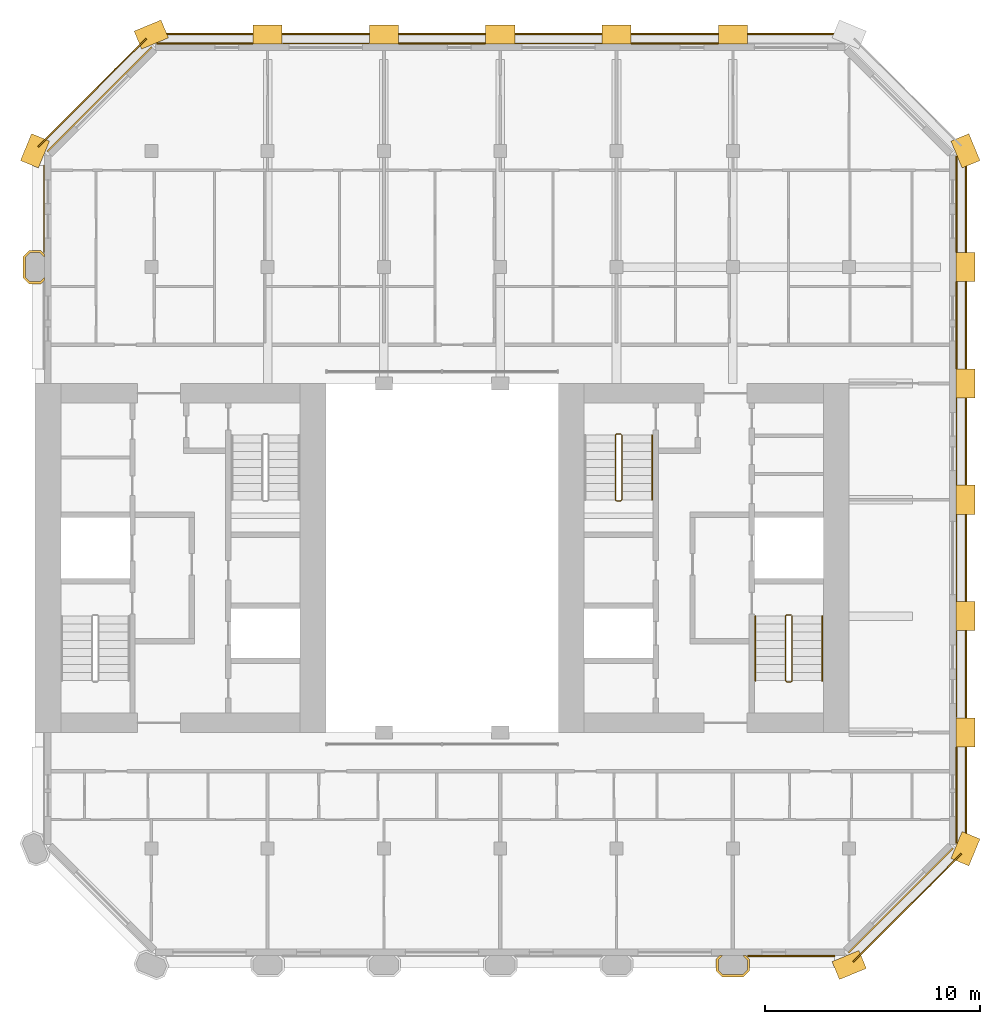
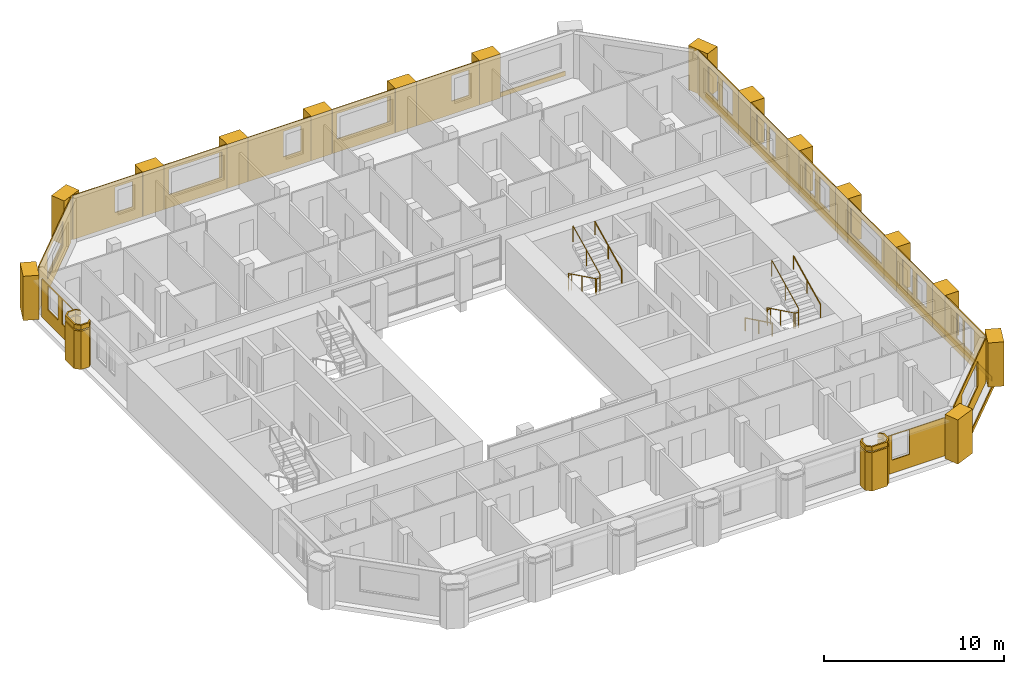
# One storey, part 12 of 13: 38 coverings, 5 railings.
"""IFC4 building model written with IfcOpenShell, lengths in metres."""

from ifc_helpers import new_model, si_unit, direction, frame, frame_2d, origin, origin_2d, place, context, subcontext, project, spatial, polyline, rectangle, circle, outline, extrude, material, layer, layer_set, type_object, element, save


model = new_model("IFC4")

# Units and contexts
model_context = context("Model", 3, precision=1e-05, world=origin(), true_north=direction((0.0, 1.0)))
body_context = subcontext(model_context, "Body", "Model", "MODEL_VIEW")
ifc_project = project(units=[si_unit("LENGTHUNIT", "METRE"), si_unit("AREAUNIT", "SQUARE_METRE"), si_unit("VOLUMEUNIT", "CUBIC_METRE"), si_unit("PLANEANGLEUNIT", "RADIAN"), si_unit("MASSUNIT", "GRAM", prefix="KILO")], contexts=[model_context])

# Site, building, storey
site_placement = place(None, origin())
site = spatial("IfcSite", under=ifc_project, at=site_placement, CompositionType="ELEMENT")
building_placement = place(site_placement, origin())
building = spatial("IfcBuilding", under=site, at=building_placement, Name="Tabaq Tower and Sports Hall", CompositionType="ELEMENT")
storey_placement = place(building_placement, frame((0.0, 0.0, 301.60009765625)))
storey = spatial("IfcBuildingStorey", under=building, at=storey_placement, Name="L75", CompositionType="ELEMENT", Elevation=301.60009765625)

# Coverings
ifc_material_1 = material(Name="Precast concrete C60/75", Category="concrete")
ifc_layer_1 = layer(ifc_material_1, 0.10009765625)
ifc_layer_set_1 = layer_set([ifc_layer_1], Name="Column cladding 100")
covering_type_1 = type_object("IfcCoveringType", Name="Column cladding 100", PredefinedType="CLADDING", material=ifc_layer_set_1)
covering_1_placement = place(storey_placement, origin())
element("IfcCovering", 1, at=covering_1_placement, inside=storey, type_object=covering_type_1, Name="Column cladding L75 PC-2H-R2", PredefinedType="CLADDING", context=body_context, shape_type="SweptSolid", body=[
    extrude(outline(polyline([(5.1337890625, 37.025390625), (4.850341796875, 37.30859375), (4.850341796875, 38.291259765625), (5.1337890625, 38.57470703125), (5.666259765625, 38.57470703125), (5.849609375, 38.391357421875), (5.849609375, 38.250732421875), (5.625244140625, 38.475341796875), (5.1748046875, 38.475341796875), (4.94970703125, 38.250244140625), (4.94970703125, 37.349853515625), (5.1748046875, 37.124755859375), (5.625244140625, 37.124755859375), (5.849609375, 37.349365234375), (5.849609375, 37.208740234375), (5.666259765625, 37.025390625), (5.1337890625, 37.025390625)])), origin(), (0.0, 0.0, 1.0), 2.599853515625),
])
covering_2_placement = place(storey_placement, frame((0.0, 0.0, 2.699951171875)))
element("IfcCovering", 2, at=covering_2_placement, inside=storey, type_object=covering_type_1, Name="Column cladding L75 PC-2H-R2 2", PredefinedType="CLADDING", context=body_context, shape_type="SweptSolid", body=[
    extrude(outline(polyline([(5.1337890625, 37.025390625), (4.850341796875, 37.30859375), (4.850341796875, 38.291259765625), (5.1337890625, 38.57470703125), (5.666259765625, 38.57470703125), (5.849609375, 38.391357421875), (5.849609375, 38.250732421875), (5.625244140625, 38.475341796875), (5.1748046875, 38.475341796875), (4.94970703125, 38.250244140625), (4.94970703125, 37.349853515625), (5.1748046875, 37.124755859375), (5.625244140625, 37.124755859375), (5.849609375, 37.349365234375), (5.849609375, 37.208740234375), (5.666259765625, 37.025390625), (5.1337890625, 37.025390625)])), origin(), (0.0, 0.0, 1.0), 0.300048828125),
])
covering_3_placement = place(storey_placement, origin())
element("IfcCovering", 3, at=covering_3_placement, inside=storey, type_object=covering_type_1, Name="Column cladding L75 PC-8B-R2", PredefinedType="CLADDING", context=body_context, shape_type="SweptSolid", body=[
    extrude(outline(polyline([(37.025390625, 5.666259765625), (37.208740234375, 5.849609375), (37.349365234375, 5.849609375), (37.124755859375, 5.625244140625), (37.124755859375, 5.1748046875), (37.349853515625, 4.94970703125), (38.250244140625, 4.94970703125), (38.475341796875, 5.1748046875), (38.475341796875, 5.625244140625), (38.250732421875, 5.849609375), (38.391357421875, 5.849609375), (38.57470703125, 5.666259765625), (38.57470703125, 5.1337890625), (38.291259765625, 4.850341796875), (37.30859375, 4.850341796875), (37.025390625, 5.1337890625), (37.025390625, 5.666259765625)])), origin(), (0.0, 0.0, 1.0), 2.599853515625),
])
covering_4_placement = place(storey_placement, frame((0.0, 0.0, 2.699951171875)))
element("IfcCovering", 4, at=covering_4_placement, inside=storey, type_object=covering_type_1, Name="Column cladding L75 PC-8B-R2 2", PredefinedType="CLADDING", context=body_context, shape_type="SweptSolid", body=[
    extrude(outline(polyline([(37.025390625, 5.666259765625), (37.208740234375, 5.849609375), (37.349365234375, 5.849609375), (37.124755859375, 5.625244140625), (37.124755859375, 5.1748046875), (37.349853515625, 4.94970703125), (38.250244140625, 4.94970703125), (38.475341796875, 5.1748046875), (38.475341796875, 5.625244140625), (38.250732421875, 5.849609375), (38.391357421875, 5.849609375), (38.57470703125, 5.666259765625), (38.57470703125, 5.1337890625), (38.291259765625, 4.850341796875), (37.30859375, 4.850341796875), (37.025390625, 5.1337890625), (37.025390625, 5.666259765625)])), origin(), (0.0, 0.0, 1.0), 0.300048828125),
])
ifc_material_2 = material(Name="Precast concrete C60/75", Category="concrete")
ifc_layer_2 = layer(ifc_material_2, 0.06005859375)
ifc_layer_set_2 = layer_set([ifc_layer_2], Name="Edge beam cladding 60")
covering_type_2 = type_object("IfcCoveringType", Name="Edge beam cladding 60", PredefinedType="CLADDING", material=ifc_layer_set_2)
covering_5_placement = place(storey_placement, frame((43.39794921875, 5.5556640625, -0.300048828125), z_axis=(0.0, 0.0, 1.0), x_axis=(0.707124002701, 0.707089559252, 0.0)))
element("IfcCovering", 5, at=covering_5_placement, inside=storey, type_object=covering_type_2, Name="Edge beam cladding L75 1", PredefinedType="CLADDING", context=body_context, shape_type="SweptSolid", body=[
    extrude(rectangle(XDim=7.088134765625, YDim=0.06005859375, at=frame_2d((3.5439453125, 0.0))), origin(), (0.0, 0.0, 1.0), 0.300048828125),
])
for number, where, z_axis, x_axis, name in (
    (6, (48.6298828125, 11.0986328125, -0.300048828125), (0.0, 0.0, 1.0), (0.0, 1.0, 0.0), "Edge beam cladding L75 2"),
    (7, (42.9013671875, 48.6298828125, -0.300048828125), (0.0, 0.0, 1.0), (-1.0, 0.0, 0.0), "Edge beam cladding L75 4"),
):
    element("IfcCovering", number, at=place(storey_placement, frame(where, z_axis=z_axis, x_axis=x_axis)), inside=storey, type_object=covering_type_2, Name=name, PredefinedType="CLADDING", context=body_context, shape_type="SweptSolid", body=[
        extrude(rectangle(XDim=31.802734375, YDim=0.06005859375, at=frame_2d((15.9013671875, 0.0))), origin(), (0.0, 0.0, 1.0), 0.300048828125),
    ])
covering_6_placement = place(storey_placement, frame((10.567626953125, 48.41015625, -0.300048828125), z_axis=(0.0, 0.0, 1.0), x_axis=(-0.707089559252, -0.707124002701, 0.0)))
element("IfcCovering", 8, at=covering_6_placement, inside=storey, type_object=covering_type_2, Name="Edge beam cladding L75 5", PredefinedType="CLADDING", context=body_context, shape_type="SweptSolid", body=[
    extrude(rectangle(XDim=7.088134765625, YDim=0.06005859375, at=frame_2d((3.5439453125, 0.0))), origin(), (0.0, 0.0, 1.0), 0.300048828125),
])
ifc_material_3 = material(Name="White precast concrete C60/75", Category="concrete")
covering_type_3 = type_object("IfcCoveringType", Name="Pier cladding hung 1350x900", PredefinedType="CLADDING", material=ifc_material_3)
for number, where, z_axis, x_axis, name in (
    (9, (5.658203125, 43.82373046875, 0.0), (0.0, 0.0, 1.0), (-0.382649923473, -0.923893411637, 0.0), "Hung pier cladding 1/8"),
    (10, (11.423583984375, 48.8583984375, 0.0), (0.0, 0.0, 1.0), (-0.923893411637, -0.382649923473, 0.0), "Hung pier cladding 2/9"),
    (11, (16.875, 48.60009765625, 0.0), (0.0, 0.0, 1.0), (-1.0, 0.0, 0.0), "Hung pier cladding 3/9"),
):
    element("IfcCovering", number, at=place(storey_placement, frame(where, z_axis=z_axis, x_axis=x_axis)), inside=storey, type_object=covering_type_3, Name=name, PredefinedType="CLADDING", context=body_context, shape_type="SweptSolid", body=[
        extrude(rectangle(XDim=1.35009765625, YDim=0.89990234375, at=frame_2d((0.675048828125, 0.0))), origin(), (0.0, 0.0, 1.0), 3.0),
    ])
covering_7_placement = place(storey_placement, frame((22.27490234375, 48.60009765625, 0.0), z_axis=(0.0, 0.0, 1.0), x_axis=(-1.0, 0.0, 0.0)))
element("IfcCovering", 12, at=covering_7_placement, inside=storey, type_object=covering_type_3, Name="Hung pier cladding 4/9", PredefinedType="CLADDING", context=body_context, shape_type="SweptSolid", body=[
    extrude(rectangle(XDim=1.349853515625, YDim=0.89990234375, at=frame_2d((0.6748046875, 0.0))), origin(), (0.0, 0.0, 1.0), 3.0),
])
covering_8_placement = place(storey_placement, frame((27.675048828125, 48.60009765625, 0.0), z_axis=(0.0, 0.0, 1.0), x_axis=(-1.0, 0.0, 0.0)))
element("IfcCovering", 13, at=covering_8_placement, inside=storey, type_object=covering_type_3, Name="Hung pier cladding 5/9", PredefinedType="CLADDING", context=body_context, shape_type="SweptSolid", body=[
    extrude(rectangle(XDim=1.35009765625, YDim=0.89990234375, at=frame_2d((0.675048828125, 0.0))), origin(), (0.0, 0.0, 1.0), 3.0),
])
covering_9_placement = place(storey_placement, frame((33.074951171875, 48.60009765625, 0.0), z_axis=(0.0, 0.0, 1.0), x_axis=(-1.0, 0.0, 0.0)))
element("IfcCovering", 14, at=covering_9_placement, inside=storey, type_object=covering_type_3, Name="Hung pier cladding 6/9", PredefinedType="CLADDING", context=body_context, shape_type="SweptSolid", body=[
    extrude(rectangle(XDim=1.349853515625, YDim=0.89990234375, at=frame_2d((0.6748046875, 0.0))), origin(), (0.0, 0.0, 1.0), 3.0),
])
for number, where, z_axis, x_axis, name in (
    (15, (38.47509765625, 48.60009765625, 0.0), (0.0, 0.0, 1.0), (-1.0, 0.0, 0.0), "Hung pier cladding 7/9"),
    (16, (42.576416015625, 5.1416015625, 0.0), (0.0, 0.0, 1.0), (0.923893411637, 0.382649923473, 0.0), "Hung pier cladding 8/1"),
    (17, (48.341796875, 10.17626953125, 0.0), (0.0, 0.0, 1.0), (0.382649923473, 0.923893411637, 0.0), "Hung pier cladding 9/2"),
    (18, (48.60009765625, 15.52490234375, 0.0), (0.0, 0.0, 1.0), (0.0, 1.0, 0.0), "Hung pier cladding 9/3"),
):
    element("IfcCovering", number, at=place(storey_placement, frame(where, z_axis=z_axis, x_axis=x_axis)), inside=storey, type_object=covering_type_3, Name=name, PredefinedType="CLADDING", context=body_context, shape_type="SweptSolid", body=[
        extrude(rectangle(XDim=1.35009765625, YDim=0.89990234375, at=frame_2d((0.675048828125, 0.0))), origin(), (0.0, 0.0, 1.0), 3.0),
    ])
covering_10_placement = place(storey_placement, frame((48.60009765625, 20.925048828125, 0.0), z_axis=(0.0, 0.0, 1.0), x_axis=(0.0, 1.0, 0.0)))
element("IfcCovering", 19, at=covering_10_placement, inside=storey, type_object=covering_type_3, Name="Hung pier cladding 9/4", PredefinedType="CLADDING", context=body_context, shape_type="SweptSolid", body=[
    extrude(rectangle(XDim=1.349853515625, YDim=0.89990234375, at=frame_2d((0.6748046875, 0.0))), origin(), (0.0, 0.0, 1.0), 3.0),
])
covering_11_placement = place(storey_placement, frame((48.60009765625, 26.324951171875, 0.0), z_axis=(0.0, 0.0, 1.0), x_axis=(0.0, 1.0, 0.0)))
element("IfcCovering", 20, at=covering_11_placement, inside=storey, type_object=covering_type_3, Name="Hung pier cladding 9/5", PredefinedType="CLADDING", context=body_context, shape_type="SweptSolid", body=[
    extrude(rectangle(XDim=1.35009765625, YDim=0.89990234375, at=frame_2d((0.675048828125, 0.0))), origin(), (0.0, 0.0, 1.0), 3.0),
])
covering_12_placement = place(storey_placement, frame((48.60009765625, 31.72509765625, 0.0), z_axis=(0.0, 0.0, 1.0), x_axis=(0.0, 1.0, 0.0)))
element("IfcCovering", 21, at=covering_12_placement, inside=storey, type_object=covering_type_3, Name="Hung pier cladding 9/6", PredefinedType="CLADDING", context=body_context, shape_type="SweptSolid", body=[
    extrude(rectangle(XDim=1.349853515625, YDim=0.89990234375, at=frame_2d((0.6748046875, 0.0))), origin(), (0.0, 0.0, 1.0), 3.0),
])
for number, where, z_axis, x_axis, name in (
    (22, (48.60009765625, 37.125, 0.0), (0.0, 0.0, 1.0), (0.0, 1.0, 0.0), "Hung pier cladding 9/7"),
    (23, (48.8583984375, 42.576416015625, 0.0), (0.0, 0.0, 1.0), (-0.382649923473, 0.923893411637, 0.0), "Hung pier cladding 9/8"),
):
    element("IfcCovering", number, at=place(storey_placement, frame(where, z_axis=z_axis, x_axis=x_axis)), inside=storey, type_object=covering_type_3, Name=name, PredefinedType="CLADDING", context=body_context, shape_type="SweptSolid", body=[
        extrude(rectangle(XDim=1.35009765625, YDim=0.89990234375, at=frame_2d((0.675048828125, 0.0))), origin(), (0.0, 0.0, 1.0), 3.0),
    ])

# Railings
ifc_material_4 = material(Name="Stainless steel", Category="steel")
railing_type_1 = type_object("IfcRailingType", Name="Stair guard", PredefinedType="GUARDRAIL", material=ifc_material_4)
railing_1_placement = place(storey_placement, frame((40.5, 21.64990234375, 0.0)))
element("IfcRailing", 24, at=railing_1_placement, inside=storey, type_object=railing_type_1, Name="L75 ST3 stair guard 1", PredefinedType="GUARDRAIL", context=body_context, shape_type="SweptSolid", body=[
    extrude(circle(Radius=0.02392578125, at=origin_2d()), frame((0.0, 0.0, 1.076171875), z_axis=(-1.0, 0.0, 0.0), x_axis=(0.0, -1.0, 0.0)), (0.0, 0.0, 1.0), 0.199951171875),
    extrude(circle(Radius=0.02392578125, at=origin_2d()), frame((-0.199951171875, 0.0, 1.076171875), z_axis=(-0.254733673405, -0.25349107012, 0.933195066962), x_axis=(0.705375805398, -0.708833529934, 0.0)), (0.0, 0.0, 1.0), 0.196533203125),
    extrude(circle(Radius=0.02392578125, at=origin_2d()), frame((-0.25, -0.0498046875, 1.25927734375), z_axis=(0.0, -0.898397823093, 0.439182594671), x_axis=(1.0, 0.0, 0.0)), (0.0, 0.0, 1.0), 3.33935546875),
    extrude(circle(Radius=0.02392578125, at=origin_2d()), frame((-0.25, -3.0498046875, 2.72607421875), z_axis=(0.707106781187, -0.707106781187, 0.0), x_axis=(0.707106781187, 0.707106781187, 0.0)), (0.0, 0.0, 1.0), 0.07080078125),
    extrude(circle(Radius=0.02392578125, at=origin_2d()), frame((-0.199951171875, -3.099853515625, 2.72607421875), z_axis=(1.0, 0.0, 0.0), x_axis=(0.0, 1.0, 0.0)), (0.0, 0.0, 1.0), 0.199951171875),
    extrude(circle(Radius=0.02392578125, at=origin_2d()), frame((0.0, -3.099853515625, 2.72607421875), z_axis=(0.254653276557, 0.254653276557, 0.932900539971), x_axis=(-0.707106781187, 0.707106781187, 0.0)), (0.0, 0.0, 1.0), 0.196533203125),
    extrude(circle(Radius=0.02392578125, at=origin_2d()), frame((0.050048828125, -3.0498046875, 2.9091796875), z_axis=(0.0, 0.898397823093, 0.439182594671), x_axis=(-1.0, 0.0, 0.0)), (0.0, 0.0, 1.0), 3.33935546875),
    extrude(circle(Radius=0.02099609375, at=origin_2d()), origin(), (0.0, 0.0, 1.0), 1.052001953125),
    extrude(circle(Radius=0.02099609375, at=origin_2d()), frame((-0.199951171875, 0.0, 0.0)), (0.0, 0.0, 1.0), 1.052001953125),
    extrude(circle(Radius=0.02099609375, at=origin_2d()), frame((-0.25, -0.0498046875, 0.183349609375)), (0.0, 0.0, 1.0), 1.052001953125),
    extrude(circle(Radius=0.02099609375, at=origin_2d()), frame((-0.25, -1.5498046875, 0.91650390625)), (0.0, 0.0, 1.0), 1.052001953125),
    extrude(circle(Radius=0.02099609375, at=origin_2d()), frame((-0.25, -3.0498046875, 1.64990234375)), (0.0, 0.0, 1.0), 1.052001953125),
    extrude(circle(Radius=0.02099609375, at=origin_2d()), frame((-0.199951171875, -3.099853515625, 1.64990234375)), (0.0, 0.0, 1.0), 1.052001953125),
    extrude(circle(Radius=0.02099609375, at=origin_2d()), frame((0.0, -3.099853515625, 1.64990234375)), (0.0, 0.0, 1.0), 1.052001953125),
    extrude(circle(Radius=0.02099609375, at=origin_2d()), frame((0.050048828125, -3.0498046875, 1.833251953125)), (0.0, 0.0, 1.0), 1.052001953125),
    extrude(circle(Radius=0.02099609375, at=origin_2d()), frame((0.050048828125, -1.5498046875, 2.56640625)), (0.0, 0.0, 1.0), 1.052001953125),
    extrude(circle(Radius=0.02099609375, at=origin_2d()), frame((0.050048828125, -0.0498046875, 3.2998046875)), (0.0, 0.0, 1.0), 1.052001953125),
])
railing_2_placement = place(storey_placement, frame((32.60009765625, 30.050048828125, 0.0)))
element("IfcRailing", 25, at=railing_2_placement, inside=storey, type_object=railing_type_1, Name="L75 ST4 stair guard 1", PredefinedType="GUARDRAIL", context=body_context, shape_type="SweptSolid", body=[
    extrude(circle(Radius=0.02392578125, at=origin_2d()), frame((0.0, 0.0, 1.076171875), z_axis=(-1.0, 0.0, 0.0), x_axis=(0.0, -1.0, 0.0)), (0.0, 0.0, 1.0), 0.2001953125),
    extrude(circle(Radius=0.02392578125, at=origin_2d()), frame((-0.2001953125, 0.0, 1.076171875), z_axis=(-0.25349107012, -0.254733673405, 0.933195066962), x_axis=(0.708833529934, -0.705375805398, 0.0)), (0.0, 0.0, 1.0), 0.196533203125),
    extrude(circle(Radius=0.02392578125, at=origin_2d()), frame((-0.25, -0.050048828125, 1.25927734375), z_axis=(0.0, -0.898397823093, 0.439182594671), x_axis=(1.0, 0.0, 0.0)), (0.0, 0.0, 1.0), 3.33935546875),
    extrude(circle(Radius=0.02392578125, at=origin_2d()), frame((-0.25, -3.050048828125, 2.72607421875), z_axis=(0.705375805398, -0.708833529934, 0.0), x_axis=(0.708833529934, 0.705375805398, 0.0)), (0.0, 0.0, 1.0), 0.070556640625),
    extrude(circle(Radius=0.02392578125, at=origin_2d()), frame((-0.2001953125, -3.10009765625, 2.72607421875), z_axis=(1.0, 0.0, 0.0), x_axis=(0.0, 1.0, 0.0)), (0.0, 0.0, 1.0), 0.2001953125),
    extrude(circle(Radius=0.02392578125, at=origin_2d()), frame((0.0, -3.10009765625, 2.72607421875), z_axis=(0.25349107012, 0.254733673405, 0.933195066962), x_axis=(-0.708833529934, 0.705375805398, 0.0)), (0.0, 0.0, 1.0), 0.196533203125),
    extrude(circle(Radius=0.02392578125, at=origin_2d()), frame((0.0498046875, -3.050048828125, 2.9091796875), z_axis=(0.0, 0.898397823093, 0.439182594671), x_axis=(-1.0, 0.0, 0.0)), (0.0, 0.0, 1.0), 3.33935546875),
    extrude(circle(Radius=0.02099609375, at=origin_2d()), origin(), (0.0, 0.0, 1.0), 1.052001953125),
    extrude(circle(Radius=0.02099609375, at=origin_2d()), frame((-0.2001953125, 0.0, 0.0)), (0.0, 0.0, 1.0), 1.052001953125),
    extrude(circle(Radius=0.02099609375, at=origin_2d()), frame((-0.25, -0.050048828125, 0.183349609375)), (0.0, 0.0, 1.0), 1.052001953125),
    extrude(circle(Radius=0.02099609375, at=origin_2d()), frame((-0.25, -1.550048828125, 0.91650390625)), (0.0, 0.0, 1.0), 1.052001953125),
    extrude(circle(Radius=0.02099609375, at=origin_2d()), frame((-0.25, -3.050048828125, 1.64990234375)), (0.0, 0.0, 1.0), 1.052001953125),
    extrude(circle(Radius=0.02099609375, at=origin_2d()), frame((-0.2001953125, -3.10009765625, 1.64990234375)), (0.0, 0.0, 1.0), 1.052001953125),
    extrude(circle(Radius=0.02099609375, at=origin_2d()), frame((0.0, -3.10009765625, 1.64990234375)), (0.0, 0.0, 1.0), 1.052001953125),
    extrude(circle(Radius=0.02099609375, at=origin_2d()), frame((0.0498046875, -3.050048828125, 1.833251953125)), (0.0, 0.0, 1.0), 1.052001953125),
    extrude(circle(Radius=0.02099609375, at=origin_2d()), frame((0.0498046875, -1.550048828125, 2.56640625)), (0.0, 0.0, 1.0), 1.052001953125),
    extrude(circle(Radius=0.02099609375, at=origin_2d()), frame((0.0498046875, -0.050048828125, 3.2998046875)), (0.0, 0.0, 1.0), 1.052001953125),
])
ifc_material_5 = material(Name="Stainless steel", Category="steel")
railing_type_2 = type_object("IfcRailingType", Name="Stair handrail", PredefinedType="HANDRAIL", material=ifc_material_5)
railing_3_placement = place(storey_placement, frame((38.85009765625, 21.60009765625, 0.183349609375)))
element("IfcRailing", 26, at=railing_3_placement, inside=storey, type_object=railing_type_2, Name="L75 ST3 stair handrail 1", PredefinedType="HANDRAIL", context=body_context, shape_type="SweptSolid", body=[
    extrude(circle(Radius=0.02392578125, at=origin_2d()), frame((0.0, 0.0, 0.8759765625), z_axis=(0.0, -0.898397823093, 0.439182594671), x_axis=(1.0, 0.0, 0.0)), (0.0, 0.0, 1.0), 3.33935546875),
    extrude(circle(Radius=0.02099609375, at=origin_2d()), origin(), (0.0, 0.0, 1.0), 0.851806640625),
    extrude(circle(Radius=0.02099609375, at=origin_2d()), frame((0.0, -1.5, 0.7333984375)), (0.0, 0.0, 1.0), 0.851806640625),
    extrude(circle(Radius=0.02099609375, at=origin_2d()), frame((0.0, -3.0, 1.466552734375)), (0.0, 0.0, 1.0), 0.851806640625),
])
for number, where, name in (
    (27, (41.949951171875, 18.60009765625, 1.833251953125), "L75 ST3 stair handrail 2"),
    (28, (34.050048828125, 27.0, 1.833251953125), "L75 ST4 stair handrail 2"),
):
    element("IfcRailing", number, at=place(storey_placement, frame(where)), inside=storey, type_object=railing_type_2, Name=name, PredefinedType="HANDRAIL", context=body_context, shape_type="SweptSolid", body=[
        extrude(circle(Radius=0.02392578125, at=origin_2d()), frame((0.0, 0.0, 0.8759765625), z_axis=(0.0, 0.898397823093, 0.439182594671), x_axis=(-1.0, 0.0, 0.0)), (0.0, 0.0, 1.0), 3.33935546875),
        extrude(circle(Radius=0.02099609375, at=origin_2d()), origin(), (0.0, 0.0, 1.0), 0.851806640625),
        extrude(circle(Radius=0.02099609375, at=origin_2d()), frame((0.0, 1.5, 0.7333984375)), (0.0, 0.0, 1.0), 0.851806640625),
        extrude(circle(Radius=0.02099609375, at=origin_2d()), frame((0.0, 3.0, 1.466552734375)), (0.0, 0.0, 1.0), 0.851806640625),
    ])

# Coverings
ifc_material_6 = material(Name="Precast concrete C60/75", Category="concrete")
ifc_layer_3 = layer(ifc_material_6, 0.06005859375)
ifc_layer_set_3 = layer_set([ifc_layer_3], Name="White precast cladding panel 60 C60/75")
covering_type_4 = type_object("IfcCoveringType", Name="White precast cladding panel 60 C60/75", PredefinedType="CLADDING", material=ifc_layer_set_3)
covering_13_placement = place(storey_placement, frame((38.485107421875, 5.820068359375, 0.0), z_axis=(0.0, 0.0, 1.0), x_axis=(1.0, 0.0, 0.0)))
element("IfcCovering", 29, at=covering_13_placement, inside=storey, type_object=covering_type_4, Name="White precast cladding panel L75 wall00 6", PredefinedType="CLADDING", context=body_context, shape_type="SweptSolid", body=[
    extrude(outline(polyline([(0.0, 0.0), (4.0498046875, 0.0), (4.0498046875, 2.58984375), (0.0, 2.58984375), (0.0, 0.0)]), holes=[polyline([(1.77490234375, 0.889892578125), (0.655029296875, 0.889892578125), (0.655029296875, 2.559814453125), (1.77490234375, 2.559814453125), (1.77490234375, 0.889892578125)])]), frame((0.0, 0.030029296875, 0.0), z_axis=(0.0, -1.0, 0.0), x_axis=(1.0, 0.0, 0.0)), (0.0, 0.0, 1.0), 0.06005859375),
])
covering_14_placement = place(storey_placement, frame((43.177734375, 5.9716796875, 0.0), z_axis=(0.0, 0.0, 1.0), x_axis=(0.707106781187, 0.707106781187, 0.0)))
element("IfcCovering", 30, at=covering_14_placement, inside=storey, type_object=covering_type_4, Name="White precast cladding panel L75 wall01", PredefinedType="CLADDING", context=body_context, shape_type="SweptSolid", body=[
    extrude(outline(polyline([(0.0, 0.0), (6.85986328125, 0.0), (6.85986328125, 3.0), (0.0, 3.0), (0.0, 0.0)]), holes=[polyline([(1.7197265625, 0.889892578125), (1.7197265625, 2.60986328125), (5.139892578125, 2.60986328125), (5.139892578125, 0.889892578125), (1.7197265625, 0.889892578125)])]), frame((0.0, 0.030029296875, 0.0), z_axis=(0.0, -1.0, 0.0), x_axis=(1.0, 0.0, 0.0)), (0.0, 0.0, 1.0), 0.06005859375),
])
covering_15_placement = place(storey_placement, frame((48.179931640625, 11.043212890625, 0.0), z_axis=(0.0, 0.0, 1.0), x_axis=(0.0, 1.0, 0.0)))
element("IfcCovering", 31, at=covering_15_placement, inside=storey, type_object=covering_type_4, Name="White precast cladding panel L75 wall02", PredefinedType="CLADDING", context=body_context, shape_type="SweptSolid", body=[
    extrude(outline(polyline([(0.0, 0.0), (4.4716796875, 0.0), (4.4716796875, 3.0), (0.0, 3.0), (0.0, 0.0)]), holes=[polyline([(1.246826171875, 2.60986328125), (2.366943359375, 2.60986328125), (2.366943359375, 0.889892578125), (1.246826171875, 0.889892578125), (1.246826171875, 2.60986328125)]), polyline([(2.521728515625, 2.60986328125), (3.19189453125, 2.60986328125), (3.19189453125, 0.889892578125), (2.521728515625, 0.889892578125), (2.521728515625, 2.60986328125)])]), frame((0.0, 0.030029296875, 0.0), z_axis=(0.0, -1.0, 0.0), x_axis=(1.0, 0.0, 0.0)), (0.0, 0.0, 1.0), 0.06005859375),
])
covering_16_placement = place(storey_placement, frame((48.179931640625, 16.885009765625, 0.0), z_axis=(0.0, 0.0, 1.0), x_axis=(0.0, 1.0, 0.0)))
element("IfcCovering", 32, at=covering_16_placement, inside=storey, type_object=covering_type_4, Name="White precast cladding panel L75 wall02 2", PredefinedType="CLADDING", context=body_context, shape_type="SweptSolid", body=[
    extrude(outline(polyline([(0.0, 0.0), (4.030029296875, 0.0), (4.030029296875, 3.0), (0.0, 3.0), (0.0, 0.0)]), holes=[polyline([(0.655029296875, 2.60986328125), (1.77490234375, 2.60986328125), (1.77490234375, 0.889892578125), (0.655029296875, 0.889892578125), (0.655029296875, 2.60986328125)]), polyline([(2.2548828125, 2.60986328125), (3.375, 2.60986328125), (3.375, 0.889892578125), (2.2548828125, 0.889892578125), (2.2548828125, 2.60986328125)])]), frame((0.0, 0.030029296875, 0.0), z_axis=(0.0, -1.0, 0.0), x_axis=(1.0, 0.0, 0.0)), (0.0, 0.0, 1.0), 0.06005859375),
])
covering_17_placement = place(storey_placement, frame((48.179931640625, 22.284912109375, 0.0), z_axis=(0.0, 0.0, 1.0), x_axis=(0.0, 1.0, 0.0)))
element("IfcCovering", 33, at=covering_17_placement, inside=storey, type_object=covering_type_4, Name="White precast cladding panel L75 wall02 3", PredefinedType="CLADDING", context=body_context, shape_type="SweptSolid", body=[
    extrude(outline(polyline([(0.0, 0.0), (4.030029296875, 0.0), (4.030029296875, 3.0), (0.0, 3.0), (0.0, 0.0)]), holes=[polyline([(0.304931640625, 0.889892578125), (0.304931640625, 2.60986328125), (3.72509765625, 2.60986328125), (3.72509765625, 0.889892578125), (0.304931640625, 0.889892578125)])]), frame((0.0, 0.030029296875, 0.0), z_axis=(0.0, -1.0, 0.0), x_axis=(1.0, 0.0, 0.0)), (0.0, 0.0, 1.0), 0.06005859375),
])
covering_18_placement = place(storey_placement, frame((48.179931640625, 27.68505859375, 0.0), z_axis=(0.0, 0.0, 1.0), x_axis=(0.0, 1.0, 0.0)))
element("IfcCovering", 34, at=covering_18_placement, inside=storey, type_object=covering_type_4, Name="White precast cladding panel L75 wall02 4", PredefinedType="CLADDING", context=body_context, shape_type="SweptSolid", body=[
    extrude(outline(polyline([(0.0, 0.0), (4.030029296875, 0.0), (4.030029296875, 3.0), (0.0, 3.0), (0.0, 0.0)]), holes=[polyline([(0.655029296875, 2.60986328125), (1.77490234375, 2.60986328125), (1.77490234375, 0.889892578125), (0.655029296875, 0.889892578125), (0.655029296875, 2.60986328125)]), polyline([(2.2548828125, 2.60986328125), (3.375, 2.60986328125), (3.375, 0.889892578125), (2.2548828125, 0.889892578125), (2.2548828125, 2.60986328125)])]), frame((0.0, 0.030029296875, 0.0), z_axis=(0.0, -1.0, 0.0), x_axis=(1.0, 0.0, 0.0)), (0.0, 0.0, 1.0), 0.06005859375),
])
covering_19_placement = place(storey_placement, frame((48.179931640625, 33.0849609375, 0.0), z_axis=(0.0, 0.0, 1.0), x_axis=(0.0, 1.0, 0.0)))
element("IfcCovering", 35, at=covering_19_placement, inside=storey, type_object=covering_type_4, Name="White precast cladding panel L75 wall02 5", PredefinedType="CLADDING", context=body_context, shape_type="SweptSolid", body=[
    extrude(outline(polyline([(0.0, 0.0), (4.030029296875, 0.0), (4.030029296875, 3.0), (0.0, 3.0), (0.0, 0.0)]), holes=[polyline([(1.280029296875, 2.60986328125), (1.949951171875, 2.60986328125), (1.949951171875, 0.889892578125), (1.280029296875, 0.889892578125), (1.280029296875, 2.60986328125)]), polyline([(2.2548828125, 2.60986328125), (3.375, 2.60986328125), (3.375, 0.889892578125), (2.2548828125, 0.889892578125), (2.2548828125, 2.60986328125)])]), frame((0.0, 0.030029296875, 0.0), z_axis=(0.0, -1.0, 0.0), x_axis=(1.0, 0.0, 0.0)), (0.0, 0.0, 1.0), 0.06005859375),
])
covering_20_placement = place(storey_placement, frame((48.179931640625, 38.485107421875, 0.0), z_axis=(0.0, 0.0, 1.0), x_axis=(0.0, 1.0, 0.0)))
element("IfcCovering", 36, at=covering_20_placement, inside=storey, type_object=covering_type_4, Name="White precast cladding panel L75 wall02 6", PredefinedType="CLADDING", context=body_context, shape_type="SweptSolid", body=[
    extrude(outline(polyline([(0.0, 0.0), (4.4716796875, 0.0), (4.4716796875, 3.0), (0.0, 3.0), (0.0, 0.0)]), holes=[polyline([(0.655029296875, 2.60986328125), (1.77490234375, 2.60986328125), (1.77490234375, 0.889892578125), (0.655029296875, 0.889892578125), (0.655029296875, 2.60986328125)]), polyline([(2.2548828125, 2.60986328125), (3.375, 2.60986328125), (3.375, 0.889892578125), (2.2548828125, 0.889892578125), (2.2548828125, 2.60986328125)])]), frame((0.0, 0.030029296875, 0.0), z_axis=(0.0, -1.0, 0.0), x_axis=(1.0, 0.0, 0.0)), (0.0, 0.0, 1.0), 0.06005859375),
])
covering_21_placement = place(storey_placement, frame((37.114990234375, 48.179931640625, 0.0), z_axis=(0.0, 0.0, 1.0), x_axis=(-1.0, 0.0, 0.0)))
element("IfcCovering", 37, at=covering_21_placement, inside=storey, type_object=covering_type_4, Name="White precast cladding panel L75 wall04 2", PredefinedType="CLADDING", context=body_context, shape_type="SweptSolid", body=[
    extrude(outline(polyline([(0.0, 0.0), (4.030029296875, 0.0), (4.030029296875, 3.0), (0.0, 3.0), (0.0, 0.0)]), holes=[polyline([(0.655029296875, 0.889892578125), (0.655029296875, 2.60986328125), (1.77490234375, 2.60986328125), (1.77490234375, 0.889892578125), (0.655029296875, 0.889892578125)])]), frame((0.0, 0.030029296875, 0.0), z_axis=(0.0, -1.0, 0.0), x_axis=(1.0, 0.0, 0.0)), (0.0, 0.0, 1.0), 0.06005859375),
])
covering_22_placement = place(storey_placement, frame((31.715087890625, 48.179931640625, 0.0), z_axis=(0.0, 0.0, 1.0), x_axis=(-1.0, 0.0, 0.0)))
element("IfcCovering", 38, at=covering_22_placement, inside=storey, type_object=covering_type_4, Name="White precast cladding panel L75 wall04 3", PredefinedType="CLADDING", context=body_context, shape_type="SweptSolid", body=[
    extrude(outline(polyline([(0.0, 0.0), (4.030029296875, 0.0), (4.030029296875, 3.0), (0.0, 3.0), (0.0, 0.0)]), holes=[polyline([(0.304931640625, 0.889892578125), (0.304931640625, 2.60986328125), (3.72509765625, 2.60986328125), (3.72509765625, 0.889892578125), (0.304931640625, 0.889892578125)])]), frame((0.0, 0.030029296875, 0.0), z_axis=(0.0, -1.0, 0.0), x_axis=(1.0, 0.0, 0.0)), (0.0, 0.0, 1.0), 0.06005859375),
])
covering_23_placement = place(storey_placement, frame((26.31494140625, 48.179931640625, 0.0), z_axis=(0.0, 0.0, 1.0), x_axis=(-1.0, 0.0, 0.0)))
element("IfcCovering", 39, at=covering_23_placement, inside=storey, type_object=covering_type_4, Name="White precast cladding panel L75 wall04 4", PredefinedType="CLADDING", context=body_context, shape_type="SweptSolid", body=[
    extrude(outline(polyline([(0.0, 0.0), (4.030029296875, 0.0), (4.030029296875, 3.0), (0.0, 3.0), (0.0, 0.0)]), holes=[polyline([(0.655029296875, 0.889892578125), (0.655029296875, 2.60986328125), (1.77490234375, 2.60986328125), (1.77490234375, 0.889892578125), (0.655029296875, 0.889892578125)])]), frame((0.0, 0.030029296875, 0.0), z_axis=(0.0, -1.0, 0.0), x_axis=(1.0, 0.0, 0.0)), (0.0, 0.0, 1.0), 0.06005859375),
])
covering_24_placement = place(storey_placement, frame((20.9150390625, 48.179931640625, 0.0), z_axis=(0.0, 0.0, 1.0), x_axis=(-1.0, 0.0, 0.0)))
element("IfcCovering", 40, at=covering_24_placement, inside=storey, type_object=covering_type_4, Name="White precast cladding panel L75 wall04 5", PredefinedType="CLADDING", context=body_context, shape_type="SweptSolid", body=[
    extrude(outline(polyline([(0.0, 0.0), (4.030029296875, 0.0), (4.030029296875, 3.0), (0.0, 3.0), (0.0, 0.0)]), holes=[polyline([(0.304931640625, 0.889892578125), (0.304931640625, 2.60986328125), (3.72509765625, 2.60986328125), (3.72509765625, 0.889892578125), (0.304931640625, 0.889892578125)])]), frame((0.0, 0.030029296875, 0.0), z_axis=(0.0, -1.0, 0.0), x_axis=(1.0, 0.0, 0.0)), (0.0, 0.0, 1.0), 0.06005859375),
])
covering_25_placement = place(storey_placement, frame((15.514892578125, 48.179931640625, 0.0), z_axis=(0.0, 0.0, 1.0), x_axis=(-1.0, 0.0, 0.0)))
element("IfcCovering", 41, at=covering_25_placement, inside=storey, type_object=covering_type_4, Name="White precast cladding panel L75 wall04 6", PredefinedType="CLADDING", context=body_context, shape_type="SweptSolid", body=[
    extrude(outline(polyline([(0.0, 0.0), (4.4716796875, 0.0), (4.4716796875, 3.0), (0.0, 3.0), (0.0, 0.0)]), holes=[polyline([(0.655029296875, 0.889892578125), (0.655029296875, 2.60986328125), (1.77490234375, 2.60986328125), (1.77490234375, 0.889892578125), (0.655029296875, 0.889892578125)])]), frame((0.0, 0.030029296875, 0.0), z_axis=(0.0, -1.0, 0.0), x_axis=(1.0, 0.0, 0.0)), (0.0, 0.0, 1.0), 0.06005859375),
])
covering_26_placement = place(storey_placement, frame((10.822265625, 48.0283203125, 0.0), z_axis=(0.0, 0.0, 1.0), x_axis=(-0.707106781187, -0.707106781187, 0.0)))
element("IfcCovering", 42, at=covering_26_placement, inside=storey, type_object=covering_type_4, Name="White precast cladding panel L75 wall05", PredefinedType="CLADDING", context=body_context, shape_type="SweptSolid", body=[
    extrude(outline(polyline([(0.0, 0.0), (6.85986328125, 0.0), (6.85986328125, 3.0), (0.0, 3.0), (0.0, 0.0)]), holes=[polyline([(1.7197265625, 0.889892578125), (1.7197265625, 2.60986328125), (5.139892578125, 2.60986328125), (5.139892578125, 0.889892578125), (1.7197265625, 0.889892578125)])]), frame((0.0, 0.030029296875, 0.0), z_axis=(0.0, -1.0, 0.0), x_axis=(1.0, 0.0, 0.0)), (0.0, 0.0, 1.0), 0.06005859375),
])
covering_27_placement = place(storey_placement, frame((5.820068359375, 42.534912109375, 0.0), z_axis=(0.0, 0.0, 1.0), x_axis=(0.0, -1.0, 0.0)))
element("IfcCovering", 43, at=covering_27_placement, inside=storey, type_object=covering_type_4, Name="White precast cladding panel L75 wall06", PredefinedType="CLADDING", context=body_context, shape_type="SweptSolid", body=[
    extrude(outline(polyline([(0.0, 0.0), (4.0498046875, 0.0), (4.0498046875, 2.58984375), (0.0, 2.58984375), (0.0, 0.0)]), holes=[polyline([(0.675048828125, 0.889892578125), (0.675048828125, 2.559814453125), (1.794921875, 2.559814453125), (1.794921875, 0.889892578125), (0.675048828125, 0.889892578125)]), polyline([(2.27490234375, 0.889892578125), (2.27490234375, 2.559814453125), (3.39501953125, 2.559814453125), (3.39501953125, 0.889892578125), (2.27490234375, 0.889892578125)])]), frame((0.0, 0.030029296875, 0.0), z_axis=(0.0, -1.0, 0.0), x_axis=(1.0, 0.0, 0.0)), (0.0, 0.0, 1.0), 0.06005859375),
])

save(model, "model.ifc")
